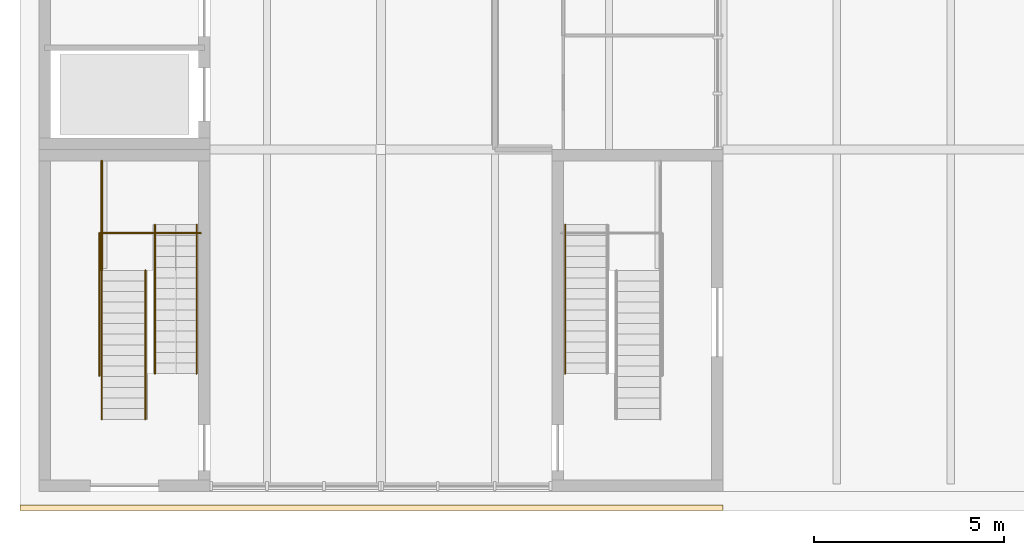
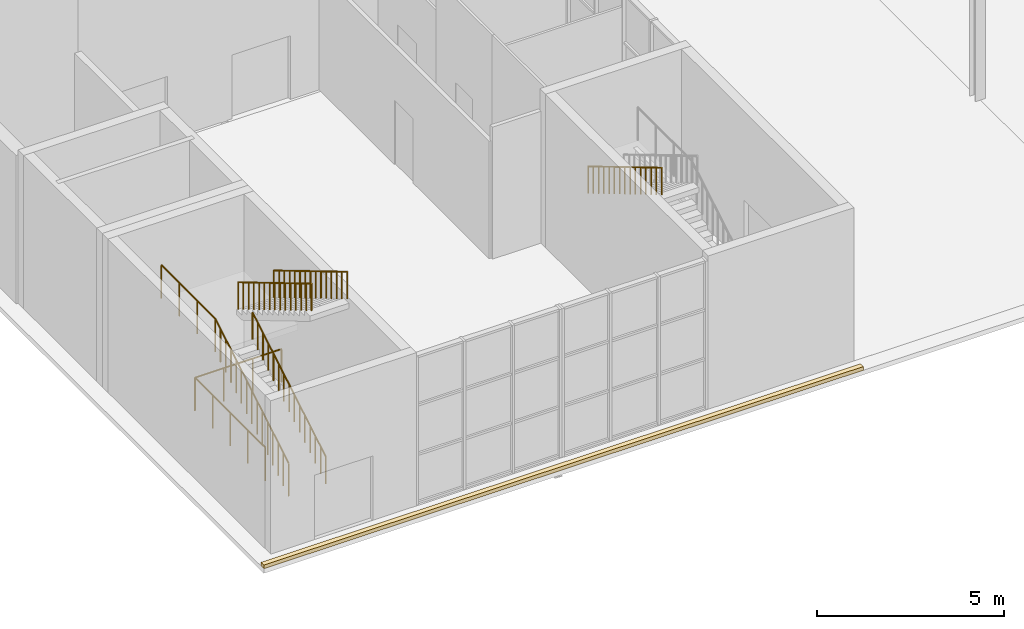
# One storey, part 53 of 63: 7 railings, 1 covering.
"""IFC4 building model written with IfcOpenShell, lengths in metres."""

from ifc_helpers import new_model, si_unit, direction, frame, origin, origin_2d, place, context, subcontext, project, spatial, polyline, circle, outline, extrude, material, layer, layer_set, type_object, element, save


model = new_model("IFC4")

# Units and contexts
model_context = context("Model", 3, precision=1e-05, world=origin(), true_north=direction((0.0, 1.0)))
body_context = subcontext(model_context, "Body", "Model", "MODEL_VIEW")
ifc_project = project(units=[si_unit("LENGTHUNIT", "METRE"), si_unit("AREAUNIT", "SQUARE_METRE"), si_unit("VOLUMEUNIT", "CUBIC_METRE"), si_unit("PLANEANGLEUNIT", "RADIAN"), si_unit("MASSUNIT", "GRAM", prefix="KILO")], contexts=[model_context])

# Site, building, storey
site_placement = place(None, origin())
site = spatial("IfcSite", under=ifc_project, at=site_placement, CompositionType="ELEMENT")
building_placement = place(site_placement, origin())
building = spatial("IfcBuilding", under=site, at=building_placement, Name="Halyard Row Museum", CompositionType="ELEMENT")
storey_placement = place(building_placement, origin())
storey = spatial("IfcBuildingStorey", under=building, at=storey_placement, Name="L00", CompositionType="ELEMENT", Elevation=0.0)

# Railings
ifc_material_1 = material(Name="Steel Grade 300", Category="steel")
railing_type_1 = type_object("IfcRailingType", Name="Guard GR2 steel balustrade 1100", PredefinedType="GUARDRAIL", material=ifc_material_1)
railing_1_placement = place(storey_placement, frame((1.64990234375, 1.89990234375, 0.166748046875)))
element("IfcRailing", 1, at=railing_1_placement, inside=storey, type_object=railing_type_1, Name="Guard GR086", PredefinedType="GUARDRAIL", context=body_context, shape_type="SweptSolid", body=[
    extrude(circle(Radius=0.02392578125, at=origin_2d()), frame((0.0, 0.0, 1.076171875), z_axis=(0.0, 0.859535888021, 0.511075392877), x_axis=(-1.0, 0.0, 0.0)), (0.0, 0.0, 1.0), 0.32568359375),
    extrude(circle(Radius=0.02392578125, at=origin_2d()), frame((0.0, 0.280029296875, 1.24267578125), z_axis=(0.0, 0.859206643714, 0.511628716353), x_axis=(-1.0, 0.0, 0.0)), (0.0, 0.0, 1.0), 0.325927734375),
    extrude(circle(Radius=0.02392578125, at=origin_2d()), frame((0.0, 0.56005859375, 1.4091796875), z_axis=(0.0, 0.859206643714, 0.511628716353), x_axis=(-1.0, 0.0, 0.0)), (0.0, 0.0, 1.0), 0.325927734375),
    extrude(circle(Radius=0.02392578125, at=origin_2d()), frame((0.0, 0.840087890625, 1.576171875), z_axis=(0.0, 0.859535888021, 0.511075392877), x_axis=(-1.0, 0.0, 0.0)), (0.0, 0.0, 1.0), 0.32568359375),
    extrude(circle(Radius=0.02392578125, at=origin_2d()), frame((0.0, 1.1201171875, 1.74267578125), z_axis=(0.0, 0.859206643714, 0.511628716353), x_axis=(-1.0, 0.0, 0.0)), (0.0, 0.0, 1.0), 0.325927734375),
    extrude(circle(Radius=0.02392578125, at=origin_2d()), frame((0.0, 1.400146484375, 1.9091796875), z_axis=(0.0, 0.859206643714, 0.511628716353), x_axis=(-1.0, 0.0, 0.0)), (0.0, 0.0, 1.0), 0.325927734375),
    extrude(circle(Radius=0.02392578125, at=origin_2d()), frame((0.0, 1.68017578125, 2.076171875), z_axis=(0.0, 0.859535888021, 0.511075392877), x_axis=(-1.0, 0.0, 0.0)), (0.0, 0.0, 1.0), 0.32568359375),
    extrude(circle(Radius=0.02392578125, at=origin_2d()), frame((0.0, 1.960205078125, 2.24267578125), z_axis=(0.0, 0.859010369412, 0.511958187006), x_axis=(-1.0, 0.0, 0.0)), (0.0, 0.0, 1.0), 0.32568359375),
    extrude(circle(Radius=0.02392578125, at=origin_2d()), frame((0.0, 2.239990234375, 2.4091796875), z_axis=(0.0, 0.859206643714, 0.511628716353), x_axis=(-1.0, 0.0, 0.0)), (0.0, 0.0, 1.0), 0.325927734375),
    extrude(circle(Radius=0.02392578125, at=origin_2d()), frame((0.0, 2.52001953125, 2.576171875), z_axis=(0.0, 0.859535888021, 0.511075392877), x_axis=(-1.0, 0.0, 0.0)), (0.0, 0.0, 1.0), 0.32568359375),
    extrude(circle(Radius=0.02392578125, at=origin_2d()), frame((0.0, 2.800048828125, 2.74267578125), z_axis=(0.0, 0.859206643714, 0.511628716353), x_axis=(-1.0, 0.0, 0.0)), (0.0, 0.0, 1.0), 0.325927734375),
    extrude(circle(Radius=0.02392578125, at=origin_2d()), frame((0.0, 3.080078125, 2.9091796875), z_axis=(0.0, 0.859206643714, 0.511628716353), x_axis=(-1.0, 0.0, 0.0)), (0.0, 0.0, 1.0), 0.325927734375),
    extrude(circle(Radius=0.02392578125, at=origin_2d()), frame((0.0, 3.360107421875, 3.076171875), z_axis=(0.0, 0.859535888021, 0.511075392877), x_axis=(-1.0, 0.0, 0.0)), (0.0, 0.0, 1.0), 0.32568359375),
    extrude(circle(Radius=0.02392578125, at=origin_2d()), frame((0.0, 3.64013671875, 3.24267578125), z_axis=(0.0, 0.859206643714, 0.511628716353), x_axis=(-1.0, 0.0, 0.0)), (0.0, 0.0, 1.0), 0.325927734375),
    extrude(circle(Radius=0.02099609375, at=origin_2d()), origin(), (0.0, 0.0, 1.0), 1.052001953125),
    extrude(circle(Radius=0.02099609375, at=origin_2d()), frame((0.0, 0.280029296875, 0.16650390625)), (0.0, 0.0, 1.0), 1.052001953125),
    extrude(circle(Radius=0.02099609375, at=origin_2d()), frame((0.0, 0.56005859375, 0.333251953125)), (0.0, 0.0, 1.0), 1.052001953125),
    extrude(circle(Radius=0.02099609375, at=origin_2d()), frame((0.0, 0.840087890625, 0.5)), (0.0, 0.0, 1.0), 1.052001953125),
    extrude(circle(Radius=0.02099609375, at=origin_2d()), frame((0.0, 1.1201171875, 0.66650390625)), (0.0, 0.0, 1.0), 1.052001953125),
    extrude(circle(Radius=0.02099609375, at=origin_2d()), frame((0.0, 1.400146484375, 0.833251953125)), (0.0, 0.0, 1.0), 1.052001953125),
    extrude(circle(Radius=0.02099609375, at=origin_2d()), frame((0.0, 1.68017578125, 1.0)), (0.0, 0.0, 1.0), 1.052001953125),
    extrude(circle(Radius=0.02099609375, at=origin_2d()), frame((0.0, 1.960205078125, 1.16650390625)), (0.0, 0.0, 1.0), 1.052001953125),
    extrude(circle(Radius=0.02099609375, at=origin_2d()), frame((0.0, 2.239990234375, 1.333251953125)), (0.0, 0.0, 1.0), 1.052001953125),
    extrude(circle(Radius=0.02099609375, at=origin_2d()), frame((0.0, 2.52001953125, 1.5)), (0.0, 0.0, 1.0), 1.052001953125),
    extrude(circle(Radius=0.02099609375, at=origin_2d()), frame((0.0, 2.800048828125, 1.66650390625)), (0.0, 0.0, 1.0), 1.052001953125),
    extrude(circle(Radius=0.02099609375, at=origin_2d()), frame((0.0, 3.080078125, 1.833251953125)), (0.0, 0.0, 1.0), 1.052001953125),
    extrude(circle(Radius=0.02099609375, at=origin_2d()), frame((0.0, 3.360107421875, 2.0)), (0.0, 0.0, 1.0), 1.052001953125),
    extrude(circle(Radius=0.02099609375, at=origin_2d()), frame((0.0, 3.64013671875, 2.16650390625)), (0.0, 0.0, 1.0), 1.052001953125),
    extrude(circle(Radius=0.02099609375, at=origin_2d()), frame((0.0, 3.920166015625, 2.333251953125)), (0.0, 0.0, 1.0), 1.052001953125),
])
railing_2_placement = place(storey_placement, frame((1.64990234375, 5.820068359375, 2.5)))
element("IfcRailing", 2, at=railing_2_placement, inside=storey, type_object=railing_type_1, Name="Guard GR087", PredefinedType="GUARDRAIL", context=body_context, shape_type="SweptSolid", body=[
    extrude(circle(Radius=0.02392578125, at=origin_2d()), frame((0.0, 0.0, 1.076171875), z_axis=(0.0, 1.0, 0.0), x_axis=(-1.0, 0.0, 0.0)), (0.0, 0.0, 1.0), 2.8798828125),
    extrude(circle(Radius=0.02099609375, at=origin_2d()), origin(), (0.0, 0.0, 1.0), 1.052001953125),
    extrude(circle(Radius=0.02099609375, at=origin_2d()), frame((0.0, 0.9599609375, 0.0)), (0.0, 0.0, 1.0), 1.052001953125),
    extrude(circle(Radius=0.02099609375, at=origin_2d()), frame((0.0, 1.919921875, 0.0)), (0.0, 0.0, 1.0), 1.052001953125),
    extrude(circle(Radius=0.02099609375, at=origin_2d()), frame((0.0, 2.8798828125, 0.0)), (0.0, 0.0, 1.0), 1.052001953125),
])
railing_3_placement = place(storey_placement, frame((1.590087890625, 3.0400390625, 0.0)))
element("IfcRailing", 3, at=railing_3_placement, inside=storey, type_object=railing_type_1, Name="Guard GR175", PredefinedType="GUARDRAIL", context=body_context, shape_type="SweptSolid", body=[
    extrude(circle(Radius=0.02392578125, at=origin_2d()), frame((0.0, 0.0, 1.076171875), z_axis=(0.0, 1.0, 0.0), x_axis=(-1.0, 0.0, 0.0)), (0.0, 0.0, 1.0), 3.760009765625),
    extrude(circle(Radius=0.02392578125, at=origin_2d()), frame((0.0, 3.760009765625, 1.076171875), z_axis=(1.0, 0.0, 0.0), x_axis=(0.0, 1.0, 0.0)), (0.0, 0.0, 1.0), 2.669921875),
    extrude(circle(Radius=0.02099609375, at=origin_2d()), origin(), (0.0, 0.0, 1.0), 1.052001953125),
    extrude(circle(Radius=0.02099609375, at=origin_2d()), frame((0.0, 0.93994140625, 0.0)), (0.0, 0.0, 1.0), 1.052001953125),
    extrude(circle(Radius=0.02099609375, at=origin_2d()), frame((0.0, 1.8798828125, 0.0)), (0.0, 0.0, 1.0), 1.052001953125),
    extrude(circle(Radius=0.02099609375, at=origin_2d()), frame((0.0, 2.820068359375, 0.0)), (0.0, 0.0, 1.0), 1.052001953125),
    extrude(circle(Radius=0.02099609375, at=origin_2d()), frame((0.0, 3.760009765625, 0.0)), (0.0, 0.0, 1.0), 1.052001953125),
    extrude(circle(Radius=0.02099609375, at=origin_2d()), frame((0.889892578125, 3.760009765625, 0.0)), (0.0, 0.0, 1.0), 1.052001953125),
    extrude(circle(Radius=0.02099609375, at=origin_2d()), frame((1.780029296875, 3.760009765625, 0.0)), (0.0, 0.0, 1.0), 1.052001953125),
    extrude(circle(Radius=0.02099609375, at=origin_2d()), frame((2.669921875, 3.760009765625, 0.0)), (0.0, 0.0, 1.0), 1.052001953125),
])
ifc_material_2 = material(Name="Steel Grade 300", Category="steel")
railing_type_2 = type_object("IfcRailingType", Name="Handrail HR2 steel 900", PredefinedType="HANDRAIL", material=ifc_material_2)
railing_4_placement = place(storey_placement, frame((13.85009765625, 7.02001953125, 2.666748046875)))
element("IfcRailing", 4, at=railing_4_placement, inside=storey, type_object=railing_type_2, Name="Handrail HR113", PredefinedType="HANDRAIL", context=body_context, shape_type="SweptSolid", body=[
    extrude(circle(Radius=0.02392578125, at=origin_2d()), frame((0.0, 0.0, 0.8759765625), z_axis=(0.0, -0.859535888021, 0.511075392877), x_axis=(1.0, 0.0, 0.0)), (0.0, 0.0, 1.0), 0.32568359375),
    extrude(circle(Radius=0.02392578125, at=origin_2d()), frame((0.0, -0.280029296875, 1.04248046875), z_axis=(0.0, -0.859206643714, 0.511628716353), x_axis=(1.0, 0.0, 0.0)), (0.0, 0.0, 1.0), 0.325927734375),
    extrude(circle(Radius=0.02392578125, at=origin_2d()), frame((0.0, -0.56005859375, 1.208984375), z_axis=(0.0, -0.859206643714, 0.511628716353), x_axis=(1.0, 0.0, 0.0)), (0.0, 0.0, 1.0), 0.325927734375),
    extrude(circle(Radius=0.02392578125, at=origin_2d()), frame((0.0, -0.840087890625, 1.3759765625), z_axis=(0.0, -0.859535888021, 0.511075392877), x_axis=(1.0, 0.0, 0.0)), (0.0, 0.0, 1.0), 0.32568359375),
    extrude(circle(Radius=0.02392578125, at=origin_2d()), frame((0.0, -1.1201171875, 1.54248046875), z_axis=(0.0, -0.859010369412, 0.511958187006), x_axis=(1.0, 0.0, 0.0)), (0.0, 0.0, 1.0), 0.32568359375),
    extrude(circle(Radius=0.02392578125, at=origin_2d()), frame((0.0, -1.39990234375, 1.708984375), z_axis=(0.0, -0.859206643714, 0.511628716353), x_axis=(1.0, 0.0, 0.0)), (0.0, 0.0, 1.0), 0.325927734375),
    extrude(circle(Radius=0.02392578125, at=origin_2d()), frame((0.0, -1.679931640625, 1.8759765625), z_axis=(0.0, -0.859535888021, 0.511075392877), x_axis=(1.0, 0.0, 0.0)), (0.0, 0.0, 1.0), 0.32568359375),
    extrude(circle(Radius=0.02392578125, at=origin_2d()), frame((0.0, -1.9599609375, 2.04248046875), z_axis=(0.0, -0.859206643714, 0.511628716353), x_axis=(1.0, 0.0, 0.0)), (0.0, 0.0, 1.0), 0.325927734375),
    extrude(circle(Radius=0.02392578125, at=origin_2d()), frame((0.0, -2.239990234375, 2.208984375), z_axis=(0.0, -0.859206643714, 0.511628716353), x_axis=(1.0, 0.0, 0.0)), (0.0, 0.0, 1.0), 0.325927734375),
    extrude(circle(Radius=0.02392578125, at=origin_2d()), frame((0.0, -2.52001953125, 2.3759765625), z_axis=(0.0, -0.859535888021, 0.511075392877), x_axis=(1.0, 0.0, 0.0)), (0.0, 0.0, 1.0), 0.32568359375),
    extrude(circle(Radius=0.02392578125, at=origin_2d()), frame((0.0, -2.800048828125, 2.54248046875), z_axis=(0.0, -0.859206643714, 0.511628716353), x_axis=(1.0, 0.0, 0.0)), (0.0, 0.0, 1.0), 0.325927734375),
    extrude(circle(Radius=0.02392578125, at=origin_2d()), frame((0.0, -3.080078125, 2.708984375), z_axis=(0.0, -0.859206643714, 0.511628716353), x_axis=(1.0, 0.0, 0.0)), (0.0, 0.0, 1.0), 0.325927734375),
    extrude(circle(Radius=0.02392578125, at=origin_2d()), frame((0.0, -3.360107421875, 2.8759765625), z_axis=(0.0, -0.859535888021, 0.511075392877), x_axis=(1.0, 0.0, 0.0)), (0.0, 0.0, 1.0), 0.32568359375),
    extrude(circle(Radius=0.02392578125, at=origin_2d()), frame((0.0, -3.64013671875, 3.04248046875), z_axis=(0.0, -0.859010369412, 0.511958187006), x_axis=(1.0, 0.0, 0.0)), (0.0, 0.0, 1.0), 0.32568359375),
    extrude(circle(Radius=0.02099609375, at=origin_2d()), origin(), (0.0, 0.0, 1.0), 0.851806640625),
    extrude(circle(Radius=0.02099609375, at=origin_2d()), frame((0.0, -0.280029296875, 0.16650390625)), (0.0, 0.0, 1.0), 0.851806640625),
    extrude(circle(Radius=0.02099609375, at=origin_2d()), frame((0.0, -0.56005859375, 0.333251953125)), (0.0, 0.0, 1.0), 0.851806640625),
    extrude(circle(Radius=0.02099609375, at=origin_2d()), frame((0.0, -0.840087890625, 0.5)), (0.0, 0.0, 1.0), 0.851806640625),
    extrude(circle(Radius=0.02099609375, at=origin_2d()), frame((0.0, -1.1201171875, 0.66650390625)), (0.0, 0.0, 1.0), 0.851806640625),
    extrude(circle(Radius=0.02099609375, at=origin_2d()), frame((0.0, -1.39990234375, 0.833251953125)), (0.0, 0.0, 1.0), 0.851806640625),
    extrude(circle(Radius=0.02099609375, at=origin_2d()), frame((0.0, -1.679931640625, 1.0)), (0.0, 0.0, 1.0), 0.851806640625),
    extrude(circle(Radius=0.02099609375, at=origin_2d()), frame((0.0, -1.9599609375, 1.16650390625)), (0.0, 0.0, 1.0), 0.851806640625),
    extrude(circle(Radius=0.02099609375, at=origin_2d()), frame((0.0, -2.239990234375, 1.333251953125)), (0.0, 0.0, 1.0), 0.851806640625),
    extrude(circle(Radius=0.02099609375, at=origin_2d()), frame((0.0, -2.52001953125, 1.5)), (0.0, 0.0, 1.0), 0.851806640625),
    extrude(circle(Radius=0.02099609375, at=origin_2d()), frame((0.0, -2.800048828125, 1.66650390625)), (0.0, 0.0, 1.0), 0.851806640625),
    extrude(circle(Radius=0.02099609375, at=origin_2d()), frame((0.0, -3.080078125, 1.833251953125)), (0.0, 0.0, 1.0), 0.851806640625),
    extrude(circle(Radius=0.02099609375, at=origin_2d()), frame((0.0, -3.360107421875, 2.0)), (0.0, 0.0, 1.0), 0.851806640625),
    extrude(circle(Radius=0.02099609375, at=origin_2d()), frame((0.0, -3.64013671875, 2.16650390625)), (0.0, 0.0, 1.0), 0.851806640625),
    extrude(circle(Radius=0.02099609375, at=origin_2d()), frame((0.0, -3.919921875, 2.333251953125)), (0.0, 0.0, 1.0), 0.851806640625),
])
railing_5_placement = place(storey_placement, frame((2.800048828125, 1.89990234375, 0.166748046875)))
element("IfcRailing", 5, at=railing_5_placement, inside=storey, type_object=railing_type_2, Name="Handrail HR124", PredefinedType="HANDRAIL", context=body_context, shape_type="SweptSolid", body=[
    extrude(circle(Radius=0.02392578125, at=origin_2d()), frame((0.0, 0.0, 0.8759765625), z_axis=(0.0, 0.859535888021, 0.511075392877), x_axis=(-1.0, 0.0, 0.0)), (0.0, 0.0, 1.0), 0.32568359375),
    extrude(circle(Radius=0.02392578125, at=origin_2d()), frame((0.0, 0.280029296875, 1.04248046875), z_axis=(0.0, 0.859206643714, 0.511628716353), x_axis=(-1.0, 0.0, 0.0)), (0.0, 0.0, 1.0), 0.325927734375),
    extrude(circle(Radius=0.02392578125, at=origin_2d()), frame((0.0, 0.56005859375, 1.208984375), z_axis=(0.0, 0.859206643714, 0.511628716353), x_axis=(-1.0, 0.0, 0.0)), (0.0, 0.0, 1.0), 0.325927734375),
    extrude(circle(Radius=0.02392578125, at=origin_2d()), frame((0.0, 0.840087890625, 1.3759765625), z_axis=(0.0, 0.859535888021, 0.511075392877), x_axis=(-1.0, 0.0, 0.0)), (0.0, 0.0, 1.0), 0.32568359375),
    extrude(circle(Radius=0.02392578125, at=origin_2d()), frame((0.0, 1.1201171875, 1.54248046875), z_axis=(0.0, 0.859206643714, 0.511628716353), x_axis=(-1.0, 0.0, 0.0)), (0.0, 0.0, 1.0), 0.325927734375),
    extrude(circle(Radius=0.02392578125, at=origin_2d()), frame((0.0, 1.400146484375, 1.708984375), z_axis=(0.0, 0.859206643714, 0.511628716353), x_axis=(-1.0, 0.0, 0.0)), (0.0, 0.0, 1.0), 0.325927734375),
    extrude(circle(Radius=0.02392578125, at=origin_2d()), frame((0.0, 1.68017578125, 1.8759765625), z_axis=(0.0, 0.859535888021, 0.511075392877), x_axis=(-1.0, 0.0, 0.0)), (0.0, 0.0, 1.0), 0.32568359375),
    extrude(circle(Radius=0.02392578125, at=origin_2d()), frame((0.0, 1.960205078125, 2.04248046875), z_axis=(0.0, 0.859010369412, 0.511958187006), x_axis=(-1.0, 0.0, 0.0)), (0.0, 0.0, 1.0), 0.32568359375),
    extrude(circle(Radius=0.02392578125, at=origin_2d()), frame((0.0, 2.239990234375, 2.208984375), z_axis=(0.0, 0.859206643714, 0.511628716353), x_axis=(-1.0, 0.0, 0.0)), (0.0, 0.0, 1.0), 0.325927734375),
    extrude(circle(Radius=0.02392578125, at=origin_2d()), frame((0.0, 2.52001953125, 2.3759765625), z_axis=(0.0, 0.859535888021, 0.511075392877), x_axis=(-1.0, 0.0, 0.0)), (0.0, 0.0, 1.0), 0.32568359375),
    extrude(circle(Radius=0.02392578125, at=origin_2d()), frame((0.0, 2.800048828125, 2.54248046875), z_axis=(0.0, 0.859206643714, 0.511628716353), x_axis=(-1.0, 0.0, 0.0)), (0.0, 0.0, 1.0), 0.325927734375),
    extrude(circle(Radius=0.02392578125, at=origin_2d()), frame((0.0, 3.080078125, 2.708984375), z_axis=(0.0, 0.859206643714, 0.511628716353), x_axis=(-1.0, 0.0, 0.0)), (0.0, 0.0, 1.0), 0.325927734375),
    extrude(circle(Radius=0.02392578125, at=origin_2d()), frame((0.0, 3.360107421875, 2.8759765625), z_axis=(0.0, 0.859535888021, 0.511075392877), x_axis=(-1.0, 0.0, 0.0)), (0.0, 0.0, 1.0), 0.32568359375),
    extrude(circle(Radius=0.02392578125, at=origin_2d()), frame((0.0, 3.64013671875, 3.04248046875), z_axis=(0.0, 0.859206643714, 0.511628716353), x_axis=(-1.0, 0.0, 0.0)), (0.0, 0.0, 1.0), 0.325927734375),
    extrude(circle(Radius=0.02099609375, at=origin_2d()), origin(), (0.0, 0.0, 1.0), 0.851806640625),
    extrude(circle(Radius=0.02099609375, at=origin_2d()), frame((0.0, 0.280029296875, 0.16650390625)), (0.0, 0.0, 1.0), 0.851806640625),
    extrude(circle(Radius=0.02099609375, at=origin_2d()), frame((0.0, 0.56005859375, 0.333251953125)), (0.0, 0.0, 1.0), 0.851806640625),
    extrude(circle(Radius=0.02099609375, at=origin_2d()), frame((0.0, 0.840087890625, 0.5)), (0.0, 0.0, 1.0), 0.851806640625),
    extrude(circle(Radius=0.02099609375, at=origin_2d()), frame((0.0, 1.1201171875, 0.66650390625)), (0.0, 0.0, 1.0), 0.851806640625),
    extrude(circle(Radius=0.02099609375, at=origin_2d()), frame((0.0, 1.400146484375, 0.833251953125)), (0.0, 0.0, 1.0), 0.851806640625),
    extrude(circle(Radius=0.02099609375, at=origin_2d()), frame((0.0, 1.68017578125, 1.0)), (0.0, 0.0, 1.0), 0.851806640625),
    extrude(circle(Radius=0.02099609375, at=origin_2d()), frame((0.0, 1.960205078125, 1.16650390625)), (0.0, 0.0, 1.0), 0.851806640625),
    extrude(circle(Radius=0.02099609375, at=origin_2d()), frame((0.0, 2.239990234375, 1.333251953125)), (0.0, 0.0, 1.0), 0.851806640625),
    extrude(circle(Radius=0.02099609375, at=origin_2d()), frame((0.0, 2.52001953125, 1.5)), (0.0, 0.0, 1.0), 0.851806640625),
    extrude(circle(Radius=0.02099609375, at=origin_2d()), frame((0.0, 2.800048828125, 1.66650390625)), (0.0, 0.0, 1.0), 0.851806640625),
    extrude(circle(Radius=0.02099609375, at=origin_2d()), frame((0.0, 3.080078125, 1.833251953125)), (0.0, 0.0, 1.0), 0.851806640625),
    extrude(circle(Radius=0.02099609375, at=origin_2d()), frame((0.0, 3.360107421875, 2.0)), (0.0, 0.0, 1.0), 0.851806640625),
    extrude(circle(Radius=0.02099609375, at=origin_2d()), frame((0.0, 3.64013671875, 2.16650390625)), (0.0, 0.0, 1.0), 0.851806640625),
    extrude(circle(Radius=0.02099609375, at=origin_2d()), frame((0.0, 3.920166015625, 2.333251953125)), (0.0, 0.0, 1.0), 0.851806640625),
])
railing_6_placement = place(storey_placement, frame((4.14990234375, 7.02001953125, 2.666748046875)))
element("IfcRailing", 6, at=railing_6_placement, inside=storey, type_object=railing_type_2, Name="Handrail HR125", PredefinedType="HANDRAIL", context=body_context, shape_type="SweptSolid", body=[
    extrude(circle(Radius=0.02392578125, at=origin_2d()), frame((0.0, 0.0, 0.8759765625), z_axis=(0.0, -0.859535888021, 0.511075392877), x_axis=(1.0, 0.0, 0.0)), (0.0, 0.0, 1.0), 0.32568359375),
    extrude(circle(Radius=0.02392578125, at=origin_2d()), frame((0.0, -0.280029296875, 1.04248046875), z_axis=(0.0, -0.859206643714, 0.511628716353), x_axis=(1.0, 0.0, 0.0)), (0.0, 0.0, 1.0), 0.325927734375),
    extrude(circle(Radius=0.02392578125, at=origin_2d()), frame((0.0, -0.56005859375, 1.208984375), z_axis=(0.0, -0.859206643714, 0.511628716353), x_axis=(1.0, 0.0, 0.0)), (0.0, 0.0, 1.0), 0.325927734375),
    extrude(circle(Radius=0.02392578125, at=origin_2d()), frame((0.0, -0.840087890625, 1.3759765625), z_axis=(0.0, -0.859535888021, 0.511075392877), x_axis=(1.0, 0.0, 0.0)), (0.0, 0.0, 1.0), 0.32568359375),
    extrude(circle(Radius=0.02392578125, at=origin_2d()), frame((0.0, -1.1201171875, 1.54248046875), z_axis=(0.0, -0.859010369412, 0.511958187006), x_axis=(1.0, 0.0, 0.0)), (0.0, 0.0, 1.0), 0.32568359375),
    extrude(circle(Radius=0.02392578125, at=origin_2d()), frame((0.0, -1.39990234375, 1.708984375), z_axis=(0.0, -0.859206643714, 0.511628716353), x_axis=(1.0, 0.0, 0.0)), (0.0, 0.0, 1.0), 0.325927734375),
    extrude(circle(Radius=0.02392578125, at=origin_2d()), frame((0.0, -1.679931640625, 1.8759765625), z_axis=(0.0, -0.859535888021, 0.511075392877), x_axis=(1.0, 0.0, 0.0)), (0.0, 0.0, 1.0), 0.32568359375),
    extrude(circle(Radius=0.02392578125, at=origin_2d()), frame((0.0, -1.9599609375, 2.04248046875), z_axis=(0.0, -0.859206643714, 0.511628716353), x_axis=(1.0, 0.0, 0.0)), (0.0, 0.0, 1.0), 0.325927734375),
    extrude(circle(Radius=0.02392578125, at=origin_2d()), frame((0.0, -2.239990234375, 2.208984375), z_axis=(0.0, -0.859206643714, 0.511628716353), x_axis=(1.0, 0.0, 0.0)), (0.0, 0.0, 1.0), 0.325927734375),
    extrude(circle(Radius=0.02392578125, at=origin_2d()), frame((0.0, -2.52001953125, 2.3759765625), z_axis=(0.0, -0.859535888021, 0.511075392877), x_axis=(1.0, 0.0, 0.0)), (0.0, 0.0, 1.0), 0.32568359375),
    extrude(circle(Radius=0.02392578125, at=origin_2d()), frame((0.0, -2.800048828125, 2.54248046875), z_axis=(0.0, -0.859206643714, 0.511628716353), x_axis=(1.0, 0.0, 0.0)), (0.0, 0.0, 1.0), 0.325927734375),
    extrude(circle(Radius=0.02392578125, at=origin_2d()), frame((0.0, -3.080078125, 2.708984375), z_axis=(0.0, -0.859206643714, 0.511628716353), x_axis=(1.0, 0.0, 0.0)), (0.0, 0.0, 1.0), 0.325927734375),
    extrude(circle(Radius=0.02392578125, at=origin_2d()), frame((0.0, -3.360107421875, 2.8759765625), z_axis=(0.0, -0.859535888021, 0.511075392877), x_axis=(1.0, 0.0, 0.0)), (0.0, 0.0, 1.0), 0.32568359375),
    extrude(circle(Radius=0.02392578125, at=origin_2d()), frame((0.0, -3.64013671875, 3.04248046875), z_axis=(0.0, -0.859010369412, 0.511958187006), x_axis=(1.0, 0.0, 0.0)), (0.0, 0.0, 1.0), 0.32568359375),
    extrude(circle(Radius=0.02099609375, at=origin_2d()), origin(), (0.0, 0.0, 1.0), 0.851806640625),
    extrude(circle(Radius=0.02099609375, at=origin_2d()), frame((0.0, -0.280029296875, 0.16650390625)), (0.0, 0.0, 1.0), 0.851806640625),
    extrude(circle(Radius=0.02099609375, at=origin_2d()), frame((0.0, -0.56005859375, 0.333251953125)), (0.0, 0.0, 1.0), 0.851806640625),
    extrude(circle(Radius=0.02099609375, at=origin_2d()), frame((0.0, -0.840087890625, 0.5)), (0.0, 0.0, 1.0), 0.851806640625),
    extrude(circle(Radius=0.02099609375, at=origin_2d()), frame((0.0, -1.1201171875, 0.66650390625)), (0.0, 0.0, 1.0), 0.851806640625),
    extrude(circle(Radius=0.02099609375, at=origin_2d()), frame((0.0, -1.39990234375, 0.833251953125)), (0.0, 0.0, 1.0), 0.851806640625),
    extrude(circle(Radius=0.02099609375, at=origin_2d()), frame((0.0, -1.679931640625, 1.0)), (0.0, 0.0, 1.0), 0.851806640625),
    extrude(circle(Radius=0.02099609375, at=origin_2d()), frame((0.0, -1.9599609375, 1.16650390625)), (0.0, 0.0, 1.0), 0.851806640625),
    extrude(circle(Radius=0.02099609375, at=origin_2d()), frame((0.0, -2.239990234375, 1.333251953125)), (0.0, 0.0, 1.0), 0.851806640625),
    extrude(circle(Radius=0.02099609375, at=origin_2d()), frame((0.0, -2.52001953125, 1.5)), (0.0, 0.0, 1.0), 0.851806640625),
    extrude(circle(Radius=0.02099609375, at=origin_2d()), frame((0.0, -2.800048828125, 1.66650390625)), (0.0, 0.0, 1.0), 0.851806640625),
    extrude(circle(Radius=0.02099609375, at=origin_2d()), frame((0.0, -3.080078125, 1.833251953125)), (0.0, 0.0, 1.0), 0.851806640625),
    extrude(circle(Radius=0.02099609375, at=origin_2d()), frame((0.0, -3.360107421875, 2.0)), (0.0, 0.0, 1.0), 0.851806640625),
    extrude(circle(Radius=0.02099609375, at=origin_2d()), frame((0.0, -3.64013671875, 2.16650390625)), (0.0, 0.0, 1.0), 0.851806640625),
    extrude(circle(Radius=0.02099609375, at=origin_2d()), frame((0.0, -3.919921875, 2.333251953125)), (0.0, 0.0, 1.0), 0.851806640625),
])
railing_7_placement = place(storey_placement, frame((3.050048828125, 7.02001953125, 2.666748046875)))
element("IfcRailing", 7, at=railing_7_placement, inside=storey, type_object=railing_type_2, Name="Handrail HR126", PredefinedType="HANDRAIL", context=body_context, shape_type="SweptSolid", body=[
    extrude(circle(Radius=0.02392578125, at=origin_2d()), frame((0.0, 0.0, 0.8759765625), z_axis=(0.0, -0.859535888021, 0.511075392877), x_axis=(1.0, 0.0, 0.0)), (0.0, 0.0, 1.0), 0.32568359375),
    extrude(circle(Radius=0.02392578125, at=origin_2d()), frame((0.0, -0.280029296875, 1.04248046875), z_axis=(0.0, -0.859206643714, 0.511628716353), x_axis=(1.0, 0.0, 0.0)), (0.0, 0.0, 1.0), 0.325927734375),
    extrude(circle(Radius=0.02392578125, at=origin_2d()), frame((0.0, -0.56005859375, 1.208984375), z_axis=(0.0, -0.859206643714, 0.511628716353), x_axis=(1.0, 0.0, 0.0)), (0.0, 0.0, 1.0), 0.325927734375),
    extrude(circle(Radius=0.02392578125, at=origin_2d()), frame((0.0, -0.840087890625, 1.3759765625), z_axis=(0.0, -0.859535888021, 0.511075392877), x_axis=(1.0, 0.0, 0.0)), (0.0, 0.0, 1.0), 0.32568359375),
    extrude(circle(Radius=0.02392578125, at=origin_2d()), frame((0.0, -1.1201171875, 1.54248046875), z_axis=(0.0, -0.859010369412, 0.511958187006), x_axis=(1.0, 0.0, 0.0)), (0.0, 0.0, 1.0), 0.32568359375),
    extrude(circle(Radius=0.02392578125, at=origin_2d()), frame((0.0, -1.39990234375, 1.708984375), z_axis=(0.0, -0.859206643714, 0.511628716353), x_axis=(1.0, 0.0, 0.0)), (0.0, 0.0, 1.0), 0.325927734375),
    extrude(circle(Radius=0.02392578125, at=origin_2d()), frame((0.0, -1.679931640625, 1.8759765625), z_axis=(0.0, -0.859535888021, 0.511075392877), x_axis=(1.0, 0.0, 0.0)), (0.0, 0.0, 1.0), 0.32568359375),
    extrude(circle(Radius=0.02392578125, at=origin_2d()), frame((0.0, -1.9599609375, 2.04248046875), z_axis=(0.0, -0.859206643714, 0.511628716353), x_axis=(1.0, 0.0, 0.0)), (0.0, 0.0, 1.0), 0.325927734375),
    extrude(circle(Radius=0.02392578125, at=origin_2d()), frame((0.0, -2.239990234375, 2.208984375), z_axis=(0.0, -0.859206643714, 0.511628716353), x_axis=(1.0, 0.0, 0.0)), (0.0, 0.0, 1.0), 0.325927734375),
    extrude(circle(Radius=0.02392578125, at=origin_2d()), frame((0.0, -2.52001953125, 2.3759765625), z_axis=(0.0, -0.859535888021, 0.511075392877), x_axis=(1.0, 0.0, 0.0)), (0.0, 0.0, 1.0), 0.32568359375),
    extrude(circle(Radius=0.02392578125, at=origin_2d()), frame((0.0, -2.800048828125, 2.54248046875), z_axis=(0.0, -0.859206643714, 0.511628716353), x_axis=(1.0, 0.0, 0.0)), (0.0, 0.0, 1.0), 0.325927734375),
    extrude(circle(Radius=0.02392578125, at=origin_2d()), frame((0.0, -3.080078125, 2.708984375), z_axis=(0.0, -0.859206643714, 0.511628716353), x_axis=(1.0, 0.0, 0.0)), (0.0, 0.0, 1.0), 0.325927734375),
    extrude(circle(Radius=0.02392578125, at=origin_2d()), frame((0.0, -3.360107421875, 2.8759765625), z_axis=(0.0, -0.859535888021, 0.511075392877), x_axis=(1.0, 0.0, 0.0)), (0.0, 0.0, 1.0), 0.32568359375),
    extrude(circle(Radius=0.02392578125, at=origin_2d()), frame((0.0, -3.64013671875, 3.04248046875), z_axis=(0.0, -0.859010369412, 0.511958187006), x_axis=(1.0, 0.0, 0.0)), (0.0, 0.0, 1.0), 0.32568359375),
    extrude(circle(Radius=0.02099609375, at=origin_2d()), origin(), (0.0, 0.0, 1.0), 0.851806640625),
    extrude(circle(Radius=0.02099609375, at=origin_2d()), frame((0.0, -0.280029296875, 0.16650390625)), (0.0, 0.0, 1.0), 0.851806640625),
    extrude(circle(Radius=0.02099609375, at=origin_2d()), frame((0.0, -0.56005859375, 0.333251953125)), (0.0, 0.0, 1.0), 0.851806640625),
    extrude(circle(Radius=0.02099609375, at=origin_2d()), frame((0.0, -0.840087890625, 0.5)), (0.0, 0.0, 1.0), 0.851806640625),
    extrude(circle(Radius=0.02099609375, at=origin_2d()), frame((0.0, -1.1201171875, 0.66650390625)), (0.0, 0.0, 1.0), 0.851806640625),
    extrude(circle(Radius=0.02099609375, at=origin_2d()), frame((0.0, -1.39990234375, 0.833251953125)), (0.0, 0.0, 1.0), 0.851806640625),
    extrude(circle(Radius=0.02099609375, at=origin_2d()), frame((0.0, -1.679931640625, 1.0)), (0.0, 0.0, 1.0), 0.851806640625),
    extrude(circle(Radius=0.02099609375, at=origin_2d()), frame((0.0, -1.9599609375, 1.16650390625)), (0.0, 0.0, 1.0), 0.851806640625),
    extrude(circle(Radius=0.02099609375, at=origin_2d()), frame((0.0, -2.239990234375, 1.333251953125)), (0.0, 0.0, 1.0), 0.851806640625),
    extrude(circle(Radius=0.02099609375, at=origin_2d()), frame((0.0, -2.52001953125, 1.5)), (0.0, 0.0, 1.0), 0.851806640625),
    extrude(circle(Radius=0.02099609375, at=origin_2d()), frame((0.0, -2.800048828125, 1.66650390625)), (0.0, 0.0, 1.0), 0.851806640625),
    extrude(circle(Radius=0.02099609375, at=origin_2d()), frame((0.0, -3.080078125, 1.833251953125)), (0.0, 0.0, 1.0), 0.851806640625),
    extrude(circle(Radius=0.02099609375, at=origin_2d()), frame((0.0, -3.360107421875, 2.0)), (0.0, 0.0, 1.0), 0.851806640625),
    extrude(circle(Radius=0.02099609375, at=origin_2d()), frame((0.0, -3.64013671875, 2.16650390625)), (0.0, 0.0, 1.0), 0.851806640625),
    extrude(circle(Radius=0.02099609375, at=origin_2d()), frame((0.0, -3.919921875, 2.333251953125)), (0.0, 0.0, 1.0), 0.851806640625),
])

# Covering
ifc_material_3 = material(Name="Precast concrete kerb", Category="concrete")
ifc_layer = layer(ifc_material_3, 0.14990234375)
ifc_layer_set = layer_set([ifc_layer], Name="Precast concrete kerb")
covering_type = type_object("IfcCoveringType", Name="Street kerb 150 x 120", PredefinedType="USERDEFINED", material=ifc_layer_set)
covering_placement = place(storey_placement, origin())
element("IfcCovering", 8, at=covering_placement, inside=storey, type_object=covering_type, Name="Capstan Street kerb west", ObjectType="Kerb", PredefinedType="USERDEFINED", context=body_context, shape_type="SweptSolid", body=[
    extrude(outline(polyline([(-0.5, -0.5), (18.0, -0.5), (18.0, -0.35009765625), (-0.5, -0.35009765625), (-0.5, -0.5)])), origin(), (0.0, 0.0, 1.0), 0.1201171875),
])

save(model, "model.ifc")
